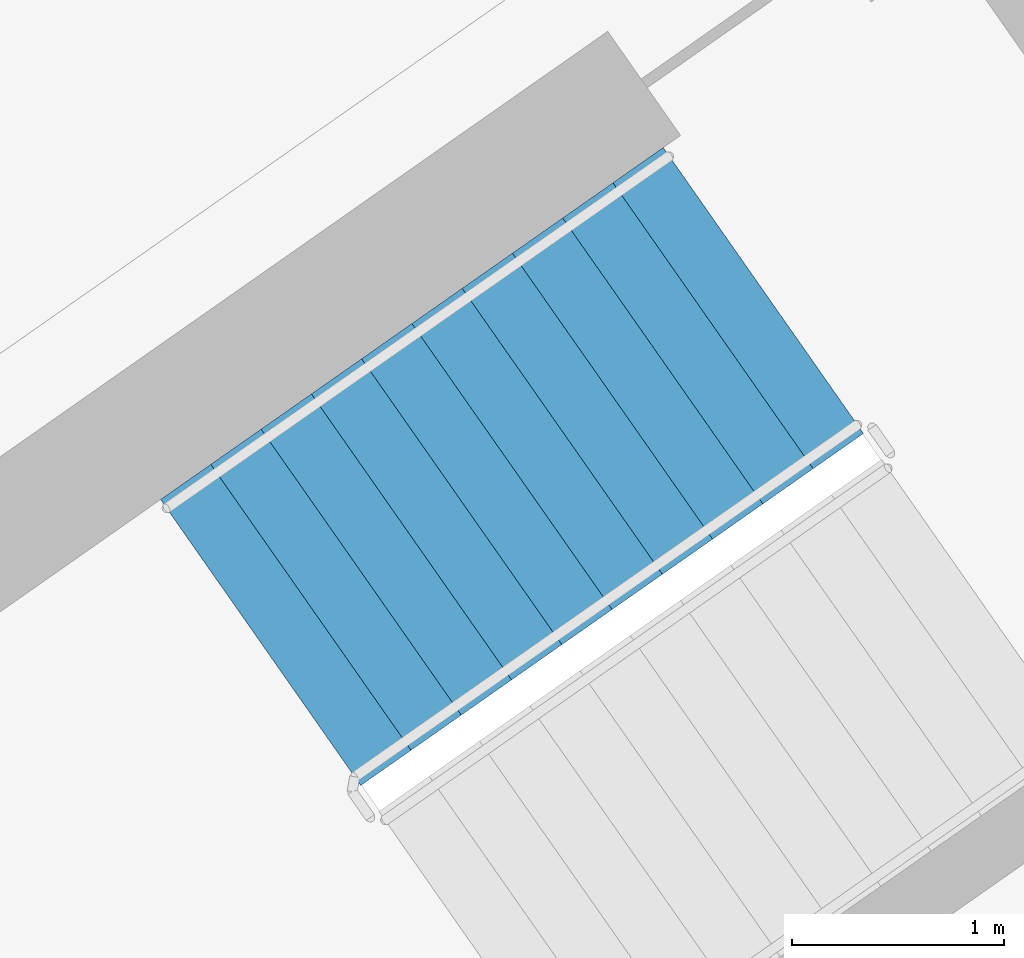
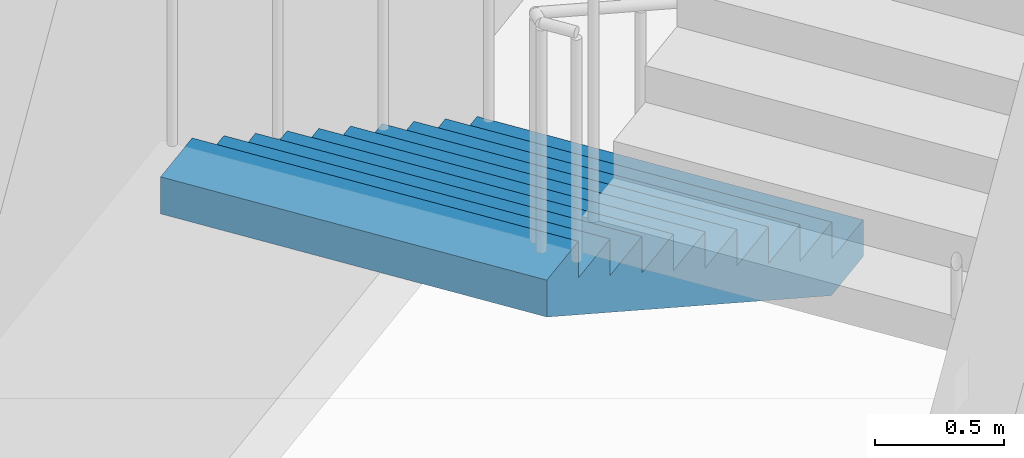
# One storey, part 17 of 28: 1 stair flight, 1 element without a shape of its own.
"""IFC4 building model written with IfcOpenShell, lengths in metres."""

import ifcopenshell
import ifcopenshell.guid

model = None  # the IFC model being written
_history = None  # IfcOwnerHistory: only IFC2X3 demands one
_inside = {}  # id of a spatial element -> (the spatial element, [elements in it])
_under = {}  # id of a project, library or spatial element -> (it, [spatial elements below it])
_declared = {}  # id of a project -> (the project, [libraries it declares])
_typed = {}  # id of a type object -> (the type object, [elements of that type])
_made_of = {}  # id of a material, layer set ... -> (it, [elements and type objects made of it])


def new_model(schema):
    """Start an empty IFC model of exactly this schema.

    Asked for "IFC4X3", IfcOpenShell would pick the latest addendum, in which some entities
    have other attributes; the version numbers below select the first issue.
    IFC2X3 requires an IfcOwnerHistory on every rooted entity: one is made here for all.
    """
    global model, _history
    if schema == "IFC4X3":
        model = ifcopenshell.file(schema_version=(4, 3, 0, 0))
    else:
        model = ifcopenshell.file(schema=schema)
    _inside.clear()
    _under.clear()
    _declared.clear()
    _typed.clear()
    _made_of.clear()
    _history = None
    if model.schema == "IFC2X3":
        org = make("IfcOrganization", Name="unknown")
        user = make(
            "IfcPersonAndOrganization",
            ThePerson=make("IfcPerson", FamilyName="unknown"),
            TheOrganization=org,
        )
        app = make(
            "IfcApplication",
            ApplicationDeveloper=org,
            Version="unknown",
            ApplicationFullName="unknown",
            ApplicationIdentifier="unknown",
        )
        _history = make(
            "IfcOwnerHistory",
            OwningUser=user,
            OwningApplication=app,
            ChangeAction="ADDED",
            CreationDate=0,
        )
    return model


def make(cls, **values):
    """One entity of the class cls with the attributes given. An attribute that is None is left unset."""
    return model.create_entity(
        cls, **{name: value for name, value in values.items() if value is not None}
    )


def rooted(cls, **values):
    """An entity with a GlobalId (a new one), such as an element, a storey or a relation."""
    return make(cls, GlobalId=ifcopenshell.guid.new(), OwnerHistory=_history, **values)


def si_unit(unit_type, name, prefix=None):
    """IfcSIUnit, for example si_unit("LENGTHUNIT", "METRE", prefix="MILLI")."""
    return make("IfcSIUnit", UnitType=unit_type, Prefix=prefix, Name=name)


def assignment(units):
    """IfcUnitAssignment: the units of a project."""
    return None if units is None else make("IfcUnitAssignment", Units=units)


def point(xyz):
    """IfcCartesianPoint."""
    return None if xyz is None else make("IfcCartesianPoint", Coordinates=xyz)


def direction(xyz):
    """IfcDirection."""
    return None if xyz is None else make("IfcDirection", DirectionRatios=xyz)


def frame(location, z_axis=None, x_axis=None):
    """IfcAxis2Placement3D, a coordinate frame: its origin and axes. An axis left out is left unset."""
    return make(
        "IfcAxis2Placement3D",
        Location=point(location),
        Axis=direction(z_axis),
        RefDirection=direction(x_axis),
    )


def origin():
    """The frame at (0, 0, 0) with its axes left unset."""
    return frame((0.0, 0.0, 0.0))


def place(relative_to, where):
    """IfcLocalPlacement: puts the frame where relative to a parent placement (None: the world)."""
    return make(
        "IfcLocalPlacement", PlacementRelTo=relative_to, RelativePlacement=where
    )


def context(
    kind, dimensions, precision=None, world=None, true_north=None, identifier=None
):
    """IfcGeometricRepresentationContext, for example the 3D "Model" context."""
    return make(
        "IfcGeometricRepresentationContext",
        ContextIdentifier=identifier,
        ContextType=kind,
        CoordinateSpaceDimension=dimensions,
        Precision=precision,
        WorldCoordinateSystem=world,
        TrueNorth=true_north,
    )


def subcontext(parent, identifier, kind, view, scale=None):
    """IfcGeometricRepresentationSubContext, for example "Body" below "Model"."""
    return make(
        "IfcGeometricRepresentationSubContext",
        ContextIdentifier=identifier,
        ContextType=kind,
        ParentContext=parent,
        TargetScale=scale,
        TargetView=view,
    )


def project(units=None, contexts=None):
    """IfcProject with its units and contexts."""
    return rooted(
        "IfcProject",
        Name="project",
        RepresentationContexts=contexts,
        UnitsInContext=assignment(units),
    )


def spatial(cls, under=None, at=None, **own):
    """A site, building, storey or space (cls), placed at a placement, below another one or the project."""
    s = rooted(cls, ObjectPlacement=at, **own)
    if under is not None:
        _under.setdefault(under.id(), (under, []))[1].append(s)
    return s


def faces_of(points, faces, orient=None, outer=None):
    """IfcFace entities. A face is a list of loops; a loop is a list of indices into points, from 0.

    orient and outer hold one flag for each loop. By default every Orientation is true, the
    first loop of a face is its IfcFaceOuterBound and the others are IfcFaceBound.
    """
    made = []
    for i, loops in enumerate(faces):
        bounds = []
        for j, loop in enumerate(loops):
            is_outer = j == 0 if outer is None else outer[i][j]
            bounds.append(
                make(
                    "IfcFaceOuterBound" if is_outer else "IfcFaceBound",
                    Bound=make("IfcPolyLoop", Polygon=[points[k] for k in loop]),
                    Orientation=True if orient is None else orient[i][j],
                )
            )
        made.append(make("IfcFace", Bounds=bounds))
    return made


def faceted_brep(points, faces, orient=None, outer=None, voids=None):
    """IfcFacetedBrep: a solid bounded by flat faces; with voids (closed shells), ...WithVoids."""
    shared = [point(p) for p in points]
    hull = make("IfcClosedShell", CfsFaces=faces_of(shared, faces, orient, outer))
    if voids is None:
        return make("IfcFacetedBrep", Outer=hull)
    return make(
        "IfcFacetedBrepWithVoids",
        Outer=hull,
        Voids=[
            make(cls, CfsFaces=faces_of(shared, fs, o, b)) for cls, fs, o, b in voids
        ],
    )


def shape(context_of_items, identifier, shape_type, items):
    """IfcShapeRepresentation: the items that make up one representation, for example the "Body"."""
    return make(
        "IfcShapeRepresentation",
        ContextOfItems=context_of_items,
        RepresentationIdentifier=identifier,
        RepresentationType=shape_type,
        Items=items,
    )


def material(Name=None, Category=None):
    """IfcMaterial."""
    return make("IfcMaterial", Name=Name, Category=Category)


def made_of(thing, what):
    """Note that an element or type object is made of a material, layer set ...; save() writes the relation."""
    if what is not None:
        _made_of.setdefault(what.id(), (what, []))[1].append(thing)
    return thing


def type_object(cls, material=None, **own):
    """A type object (cls), such as IfcWallType, which elements share."""
    return made_of(rooted(cls, **own), material)


def element(
    cls,
    number,
    at=None,
    inside=None,
    cuts=None,
    type_object=None,
    material=None,
    context=None,
    identifier="Body",
    shape_type=None,
    held_by="IfcProductDefinitionShape",
    body=None,
    shapes=None,
    **own,
):
    """One element of the class cls, such as IfcWall. Its Tag is "e" and its number.

    at: its placement. inside: the storey or other place that contains it. cuts: it is an
    opening in that element (IfcRelVoidsElement). A single representation is given by context,
    identifier, shape_type and body (its items); several are given by shapes. held_by: the class
    of the entity that holds the representations. save() writes the other relations.
    """
    e = rooted(cls, Tag="e%d" % number, ObjectPlacement=at, **own)
    if body is not None:
        shapes = [shape(context, identifier, shape_type, body)]
    if shapes is not None:
        e.Representation = make(held_by, Representations=shapes)
    if inside is not None:
        _inside.setdefault(inside.id(), (inside, []))[1].append(e)
    if cuts is not None:
        rooted(
            "IfcRelVoidsElement", RelatingBuildingElement=cuts, RelatedOpeningElement=e
        )
    if type_object is not None:
        _typed.setdefault(type_object.id(), (type_object, []))[1].append(e)
    return made_of(e, material)


def aggregate(whole, parts):
    """IfcRelAggregates: a whole, such as a stair, and the parts it consists of."""
    return rooted("IfcRelAggregates", RelatingObject=whole, RelatedObjects=parts)


def save(model, path):
    """Write the relations noted so far, then the file.

    IfcRelAggregates (storeys below a building ...), IfcRelContainedInSpatialStructure (elements
    in a storey), IfcRelDefinesByType, IfcRelAssociatesMaterial and IfcRelDeclares: one each for
    every whole, place, type object, material and project.
    """
    for whole, parts in _under.values():
        aggregate(whole, parts)
    for where, things in _inside.values():
        rooted(
            "IfcRelContainedInSpatialStructure",
            RelatedElements=things,
            RelatingStructure=where,
        )
    for kind, things in _typed.values():
        rooted("IfcRelDefinesByType", RelatedObjects=things, RelatingType=kind)
    for what, things in _made_of.values():
        rooted("IfcRelAssociatesMaterial", RelatedObjects=things, RelatingMaterial=what)
    for by, libraries in _declared.values():
        rooted("IfcRelDeclares", RelatingContext=by, RelatedDefinitions=libraries)
    model.write(path)


model = new_model("IFC4")

# Units and contexts
model_context = context("Model", 3, precision=1e-05, world=origin(), true_north=direction((0.0, 1.0)))
body_context = subcontext(model_context, "Body", "Model", "MODEL_VIEW")
ifc_project = project(units=[si_unit("LENGTHUNIT", "METRE"), si_unit("AREAUNIT", "SQUARE_METRE"), si_unit("VOLUMEUNIT", "CUBIC_METRE"), si_unit("PLANEANGLEUNIT", "RADIAN"), si_unit("MASSUNIT", "GRAM", prefix="KILO")], contexts=[model_context])

# Site, building, storey
site_placement = place(None, origin())
site = spatial("IfcSite", under=ifc_project, at=site_placement, CompositionType="ELEMENT")
building_placement = place(site_placement, origin())
building = spatial("IfcBuilding", under=site, at=building_placement, Name="Qamariyya Broadcast Tower", CompositionType="ELEMENT")
storey_placement = place(building_placement, frame((0.0, 0.0, 273.300048828125)))
storey = spatial("IfcBuildingStorey", under=building, at=storey_placement, Name="L66", CompositionType="ELEMENT", Elevation=273.300048828125)

# Stair, stair flight
ifc_material = material(Name="Concrete C50/60", Category="concrete")
stair_type = type_object("IfcStairType", Name="Exit stair 22 risers of 173 mm", PredefinedType="HALF_TURN_STAIR", material=ifc_material)
stair_placement = place(storey_placement, origin())
stair = element("IfcStair", 1, at=stair_placement, inside=storey, type_object=stair_type, Name="L66 Stair E2", PredefinedType="HALF_TURN_STAIR")
stair_flight_type = type_object("IfcStairFlightType", Name="Exit stair flight 11 risers of 173 mm", PredefinedType="STRAIGHT", material=ifc_material)
stair_flight_placement = place(storey_placement, frame((40.558837890625, -47.685302734375, 0.0), z_axis=(0.0, 0.0, 1.0), x_axis=(-0.819152044289, -0.573576436351, 0.0)))
stair_flight = element("IfcStairFlight", 2, at=stair_flight_placement, type_object=stair_flight_type, Name="ST-E2 flight 1", NumberOfRisers=11, NumberOfTreads=10, PredefinedType="STRAIGHT", RiserHeight=0.172727273, TreadLength=0.29, context=body_context, shape_type="Brep", body=[
    faceted_brep([(0.0, 0.824951171875, 0.0), (0.0, 0.824951171875, 0.172607421875), (0.2900390625, 0.824951171875, 0.172607421875), (0.2900390625, 0.824951171875, 0.345458984375), (0.580078125, 0.824951171875, 0.345458984375), (0.580078125, 0.824951171875, 0.51806640625), (0.8701171875, 0.824951171875, 0.51806640625), (0.8701171875, 0.824951171875, 0.69091796875), (1.159912109375, 0.824951171875, 0.69091796875), (1.159912109375, 0.824951171875, 0.863525390625), (1.449951171875, 0.824951171875, 0.863525390625), (1.449951171875, 0.824951171875, 1.036376953125), (1.739990234375, 0.824951171875, 1.036376953125), (1.739990234375, 0.824951171875, 1.208984375), (2.030029296875, 0.824951171875, 1.208984375), (2.030029296875, 0.824951171875, 1.3818359375), (2.320068359375, 0.824951171875, 1.3818359375), (2.320068359375, 0.824951171875, 1.554443359375), (2.610107421875, 0.824951171875, 1.554443359375), (2.610107421875, 0.824951171875, 1.727294921875), (2.89990234375, 0.824951171875, 1.727294921875), (2.89990234375, 0.824951171875, 1.552734375), (0.29296875, 0.824951171875, 0.0), (0.29296875, -0.824951171875, 0.0), (2.89990234375, -0.824951171875, 1.552734375), (2.89990234375, -0.824951171875, 1.727294921875), (2.610107421875, -0.824951171875, 1.727294921875), (2.610107421875, -0.824951171875, 1.554443359375), (2.320068359375, -0.824951171875, 1.554443359375), (2.320068359375, -0.824951171875, 1.3818359375), (2.030029296875, -0.824951171875, 1.3818359375), (2.030029296875, -0.824951171875, 1.208984375), (1.739990234375, -0.824951171875, 1.208984375), (1.739990234375, -0.824951171875, 1.036376953125), (1.449951171875, -0.824951171875, 1.036376953125), (1.449951171875, -0.824951171875, 0.863525390625), (1.159912109375, -0.824951171875, 0.863525390625), (1.159912109375, -0.824951171875, 0.69091796875), (0.8701171875, -0.824951171875, 0.69091796875), (0.8701171875, -0.824951171875, 0.51806640625), (0.580078125, -0.824951171875, 0.51806640625), (0.580078125, -0.824951171875, 0.345458984375), (0.2900390625, -0.824951171875, 0.345458984375), (0.2900390625, -0.824951171875, 0.172607421875), (0.0, -0.824951171875, 0.172607421875), (0.0, -0.824951171875, 0.0), (0.0, 0.10009765625, 0.0), (0.0, 0.086669921875, 0.0), (0.0, 0.0732421875, 0.0), (0.0, 0.06005859375, 0.0), (0.0, 0.046630859375, 0.0), (0.0, 0.033447265625, 0.0), (0.0, 0.02001953125, 0.0), (0.0, 0.006591796875, 0.0), (0.0, -0.006591796875, 0.0), (0.0, -0.02001953125, 0.0), (0.0, -0.033447265625, 0.0), (0.0, -0.046630859375, 0.0), (0.0, -0.06005859375, 0.0), (0.0, -0.0732421875, 0.0), (0.0, -0.086669921875, 0.0), (0.0, -0.10009765625, 0.0), (0.0, -0.10009765625, 0.172607421875), (0.0, -0.086669921875, 0.172607421875), (0.0, -0.0732421875, 0.172607421875), (0.0, -0.06005859375, 0.172607421875), (0.0, -0.046630859375, 0.172607421875), (0.0, -0.033447265625, 0.172607421875), (0.0, -0.02001953125, 0.172607421875), (0.0, -0.006591796875, 0.172607421875), (0.0, 0.006591796875, 0.172607421875), (0.0, 0.02001953125, 0.172607421875), (0.0, 0.033447265625, 0.172607421875), (0.0, 0.046630859375, 0.172607421875), (0.0, 0.06005859375, 0.172607421875), (0.0, 0.0732421875, 0.172607421875), (0.0, 0.086669921875, 0.172607421875), (0.0, 0.10009765625, 0.172607421875), (0.2900390625, -0.10009765625, 0.172607421875), (0.2900390625, -0.086669921875, 0.172607421875), (0.2900390625, -0.0732421875, 0.172607421875), (0.2900390625, -0.06005859375, 0.172607421875), (0.2900390625, -0.046630859375, 0.172607421875), (0.2900390625, -0.033447265625, 0.172607421875), (0.2900390625, -0.02001953125, 0.172607421875), (0.2900390625, -0.006591796875, 0.172607421875), (0.2900390625, 0.006591796875, 0.172607421875), (0.2900390625, 0.02001953125, 0.172607421875), (0.2900390625, 0.033447265625, 0.172607421875), (0.2900390625, 0.046630859375, 0.172607421875), (0.2900390625, 0.06005859375, 0.172607421875), (0.2900390625, 0.0732421875, 0.172607421875), (0.2900390625, 0.086669921875, 0.172607421875), (0.2900390625, 0.10009765625, 0.172607421875), (0.2900390625, -0.10009765625, 0.345458984375), (0.2900390625, -0.086669921875, 0.345458984375), (0.2900390625, -0.0732421875, 0.345458984375), (0.2900390625, -0.06005859375, 0.345458984375), (0.2900390625, -0.046630859375, 0.345458984375), (0.2900390625, -0.033447265625, 0.345458984375), (0.2900390625, -0.02001953125, 0.345458984375), (0.2900390625, -0.006591796875, 0.345458984375), (0.2900390625, 0.006591796875, 0.345458984375), (0.2900390625, 0.02001953125, 0.345458984375), (0.2900390625, 0.033447265625, 0.345458984375), (0.2900390625, 0.046630859375, 0.345458984375), (0.2900390625, 0.06005859375, 0.345458984375), (0.2900390625, 0.0732421875, 0.345458984375), (0.2900390625, 0.086669921875, 0.345458984375), (0.2900390625, 0.10009765625, 0.345458984375), (0.580078125, -0.10009765625, 0.345458984375), (0.580078125, -0.086669921875, 0.345458984375), (0.580078125, -0.0732421875, 0.345458984375), (0.580078125, -0.06005859375, 0.345458984375), (0.580078125, -0.046630859375, 0.345458984375), (0.580078125, -0.033447265625, 0.345458984375), (0.580078125, -0.02001953125, 0.345458984375), (0.580078125, -0.006591796875, 0.345458984375), (0.580078125, 0.006591796875, 0.345458984375), (0.580078125, 0.02001953125, 0.345458984375), (0.580078125, 0.033447265625, 0.345458984375), (0.580078125, 0.046630859375, 0.345458984375), (0.580078125, 0.06005859375, 0.345458984375), (0.580078125, 0.0732421875, 0.345458984375), (0.580078125, 0.086669921875, 0.345458984375), (0.580078125, 0.10009765625, 0.345458984375), (0.580078125, -0.10009765625, 0.51806640625), (0.580078125, -0.086669921875, 0.51806640625), (0.580078125, -0.0732421875, 0.51806640625), (0.580078125, -0.06005859375, 0.51806640625), (0.580078125, -0.046630859375, 0.51806640625), (0.580078125, -0.033447265625, 0.51806640625), (0.580078125, -0.02001953125, 0.51806640625), (0.580078125, -0.006591796875, 0.51806640625), (0.580078125, 0.006591796875, 0.51806640625), (0.580078125, 0.02001953125, 0.51806640625), (0.580078125, 0.033447265625, 0.51806640625), (0.580078125, 0.046630859375, 0.51806640625), (0.580078125, 0.06005859375, 0.51806640625), (0.580078125, 0.0732421875, 0.51806640625), (0.580078125, 0.086669921875, 0.51806640625), (0.580078125, 0.10009765625, 0.51806640625), (0.8701171875, -0.10009765625, 0.51806640625), (0.8701171875, -0.086669921875, 0.51806640625), (0.8701171875, -0.0732421875, 0.51806640625), (0.8701171875, -0.06005859375, 0.51806640625), (0.8701171875, -0.046630859375, 0.51806640625), (0.8701171875, -0.033447265625, 0.51806640625), (0.8701171875, -0.02001953125, 0.51806640625), (0.8701171875, -0.006591796875, 0.51806640625), (0.8701171875, 0.006591796875, 0.51806640625), (0.8701171875, 0.02001953125, 0.51806640625), (0.8701171875, 0.033447265625, 0.51806640625), (0.8701171875, 0.046630859375, 0.51806640625), (0.8701171875, 0.06005859375, 0.51806640625), (0.8701171875, 0.0732421875, 0.51806640625), (0.8701171875, 0.086669921875, 0.51806640625), (0.8701171875, 0.10009765625, 0.51806640625), (0.8701171875, -0.10009765625, 0.69091796875), (0.8701171875, -0.086669921875, 0.69091796875), (0.8701171875, -0.0732421875, 0.69091796875), (0.8701171875, -0.06005859375, 0.69091796875), (0.8701171875, -0.046630859375, 0.69091796875), (0.8701171875, -0.033447265625, 0.69091796875), (0.8701171875, -0.02001953125, 0.69091796875), (0.8701171875, -0.006591796875, 0.69091796875), (0.8701171875, 0.006591796875, 0.69091796875), (0.8701171875, 0.02001953125, 0.69091796875), (0.8701171875, 0.033447265625, 0.69091796875), (0.8701171875, 0.046630859375, 0.69091796875), (0.8701171875, 0.06005859375, 0.69091796875), (0.8701171875, 0.0732421875, 0.69091796875), (0.8701171875, 0.086669921875, 0.69091796875), (0.8701171875, 0.10009765625, 0.69091796875), (1.159912109375, -0.10009765625, 0.69091796875), (1.159912109375, -0.086669921875, 0.69091796875), (1.159912109375, -0.0732421875, 0.69091796875), (1.159912109375, -0.06005859375, 0.69091796875), (1.159912109375, -0.046630859375, 0.69091796875), (1.159912109375, -0.033447265625, 0.69091796875), (1.159912109375, -0.02001953125, 0.69091796875), (1.159912109375, -0.006591796875, 0.69091796875), (1.159912109375, 0.006591796875, 0.69091796875), (1.159912109375, 0.02001953125, 0.69091796875), (1.159912109375, 0.033447265625, 0.69091796875), (1.159912109375, 0.046630859375, 0.69091796875), (1.159912109375, 0.06005859375, 0.69091796875), (1.159912109375, 0.0732421875, 0.69091796875), (1.159912109375, 0.086669921875, 0.69091796875), (1.159912109375, 0.10009765625, 0.69091796875), (1.159912109375, -0.10009765625, 0.863525390625), (1.159912109375, -0.086669921875, 0.863525390625), (1.159912109375, -0.0732421875, 0.863525390625), (1.159912109375, -0.06005859375, 0.863525390625), (1.159912109375, -0.046630859375, 0.863525390625), (1.159912109375, -0.033447265625, 0.863525390625), (1.159912109375, -0.02001953125, 0.863525390625), (1.159912109375, -0.006591796875, 0.863525390625), (1.159912109375, 0.006591796875, 0.863525390625), (1.159912109375, 0.02001953125, 0.863525390625), (1.159912109375, 0.033447265625, 0.863525390625), (1.159912109375, 0.046630859375, 0.863525390625), (1.159912109375, 0.06005859375, 0.863525390625), (1.159912109375, 0.0732421875, 0.863525390625), (1.159912109375, 0.086669921875, 0.863525390625), (1.159912109375, 0.10009765625, 0.863525390625), (1.449951171875, -0.10009765625, 0.863525390625), (1.449951171875, -0.086669921875, 0.863525390625), (1.449951171875, -0.0732421875, 0.863525390625), (1.449951171875, -0.06005859375, 0.863525390625), (1.449951171875, -0.046630859375, 0.863525390625), (1.449951171875, -0.033447265625, 0.863525390625), (1.449951171875, -0.02001953125, 0.863525390625), (1.449951171875, -0.006591796875, 0.863525390625), (1.449951171875, 0.006591796875, 0.863525390625), (1.449951171875, 0.02001953125, 0.863525390625), (1.449951171875, 0.033447265625, 0.863525390625), (1.449951171875, 0.046630859375, 0.863525390625), (1.449951171875, 0.06005859375, 0.863525390625), (1.449951171875, 0.0732421875, 0.863525390625), (1.449951171875, 0.086669921875, 0.863525390625), (1.449951171875, 0.10009765625, 0.863525390625), (1.449951171875, -0.10009765625, 1.036376953125), (1.449951171875, -0.086669921875, 1.036376953125), (1.449951171875, -0.0732421875, 1.036376953125), (1.449951171875, -0.06005859375, 1.036376953125), (1.449951171875, -0.046630859375, 1.036376953125), (1.449951171875, -0.033447265625, 1.036376953125), (1.449951171875, -0.02001953125, 1.036376953125), (1.449951171875, -0.006591796875, 1.036376953125), (1.449951171875, 0.006591796875, 1.036376953125), (1.449951171875, 0.02001953125, 1.036376953125), (1.449951171875, 0.033447265625, 1.036376953125), (1.449951171875, 0.046630859375, 1.036376953125), (1.449951171875, 0.06005859375, 1.036376953125), (1.449951171875, 0.0732421875, 1.036376953125), (1.449951171875, 0.086669921875, 1.036376953125), (1.449951171875, 0.10009765625, 1.036376953125), (1.739990234375, -0.10009765625, 1.036376953125), (1.739990234375, -0.086669921875, 1.036376953125), (1.739990234375, -0.0732421875, 1.036376953125), (1.739990234375, -0.06005859375, 1.036376953125), (1.739990234375, -0.046630859375, 1.036376953125), (1.739990234375, -0.033447265625, 1.036376953125), (1.739990234375, -0.02001953125, 1.036376953125), (1.739990234375, -0.006591796875, 1.036376953125), (1.739990234375, 0.006591796875, 1.036376953125), (1.739990234375, 0.02001953125, 1.036376953125), (1.739990234375, 0.033447265625, 1.036376953125), (1.739990234375, 0.046630859375, 1.036376953125), (1.739990234375, 0.06005859375, 1.036376953125), (1.739990234375, 0.0732421875, 1.036376953125), (1.739990234375, 0.086669921875, 1.036376953125), (1.739990234375, 0.10009765625, 1.036376953125), (1.739990234375, -0.10009765625, 1.208984375), (1.739990234375, -0.086669921875, 1.208984375), (1.739990234375, -0.0732421875, 1.208984375), (1.739990234375, -0.06005859375, 1.208984375), (1.739990234375, -0.046630859375, 1.208984375), (1.739990234375, -0.033447265625, 1.208984375), (1.739990234375, -0.02001953125, 1.208984375), (1.739990234375, -0.006591796875, 1.208984375), (1.739990234375, 0.006591796875, 1.208984375), (1.739990234375, 0.02001953125, 1.208984375), (1.739990234375, 0.033447265625, 1.208984375), (1.739990234375, 0.046630859375, 1.208984375), (1.739990234375, 0.06005859375, 1.208984375), (1.739990234375, 0.0732421875, 1.208984375), (1.739990234375, 0.086669921875, 1.208984375), (1.739990234375, 0.10009765625, 1.208984375), (2.030029296875, -0.10009765625, 1.208984375), (2.030029296875, -0.086669921875, 1.208984375), (2.030029296875, -0.0732421875, 1.208984375), (2.030029296875, -0.06005859375, 1.208984375), (2.030029296875, -0.046630859375, 1.208984375), (2.030029296875, -0.033447265625, 1.208984375), (2.030029296875, -0.02001953125, 1.208984375), (2.030029296875, -0.006591796875, 1.208984375), (2.030029296875, 0.006591796875, 1.208984375), (2.030029296875, 0.02001953125, 1.208984375), (2.030029296875, 0.033447265625, 1.208984375), (2.030029296875, 0.046630859375, 1.208984375), (2.030029296875, 0.06005859375, 1.208984375), (2.030029296875, 0.0732421875, 1.208984375), (2.030029296875, 0.086669921875, 1.208984375), (2.030029296875, 0.10009765625, 1.208984375), (2.030029296875, -0.10009765625, 1.3818359375), (2.030029296875, -0.086669921875, 1.3818359375), (2.030029296875, -0.0732421875, 1.3818359375), (2.030029296875, -0.06005859375, 1.3818359375), (2.030029296875, -0.046630859375, 1.3818359375), (2.030029296875, -0.033447265625, 1.3818359375), (2.030029296875, -0.02001953125, 1.3818359375), (2.030029296875, -0.006591796875, 1.3818359375), (2.030029296875, 0.006591796875, 1.3818359375), (2.030029296875, 0.02001953125, 1.3818359375), (2.030029296875, 0.033447265625, 1.3818359375), (2.030029296875, 0.046630859375, 1.3818359375), (2.030029296875, 0.06005859375, 1.3818359375), (2.030029296875, 0.0732421875, 1.3818359375), (2.030029296875, 0.086669921875, 1.3818359375), (2.030029296875, 0.10009765625, 1.3818359375), (2.320068359375, -0.10009765625, 1.3818359375), (2.320068359375, -0.086669921875, 1.3818359375), (2.320068359375, -0.0732421875, 1.3818359375), (2.320068359375, -0.06005859375, 1.3818359375), (2.320068359375, -0.046630859375, 1.3818359375), (2.320068359375, -0.033447265625, 1.3818359375), (2.320068359375, -0.02001953125, 1.3818359375), (2.320068359375, -0.006591796875, 1.3818359375), (2.320068359375, 0.006591796875, 1.3818359375), (2.320068359375, 0.02001953125, 1.3818359375), (2.320068359375, 0.033447265625, 1.3818359375), (2.320068359375, 0.046630859375, 1.3818359375), (2.320068359375, 0.06005859375, 1.3818359375), (2.320068359375, 0.0732421875, 1.3818359375), (2.320068359375, 0.086669921875, 1.3818359375), (2.320068359375, 0.10009765625, 1.3818359375), (2.320068359375, -0.10009765625, 1.554443359375), (2.320068359375, -0.086669921875, 1.554443359375), (2.320068359375, -0.0732421875, 1.554443359375), (2.320068359375, -0.06005859375, 1.554443359375), (2.320068359375, -0.046630859375, 1.554443359375), (2.320068359375, -0.033447265625, 1.554443359375), (2.320068359375, -0.02001953125, 1.554443359375), (2.320068359375, -0.006591796875, 1.554443359375), (2.320068359375, 0.006591796875, 1.554443359375), (2.320068359375, 0.02001953125, 1.554443359375), (2.320068359375, 0.033447265625, 1.554443359375), (2.320068359375, 0.046630859375, 1.554443359375), (2.320068359375, 0.06005859375, 1.554443359375), (2.320068359375, 0.0732421875, 1.554443359375), (2.320068359375, 0.086669921875, 1.554443359375), (2.320068359375, 0.10009765625, 1.554443359375), (2.610107421875, -0.10009765625, 1.554443359375), (2.610107421875, -0.086669921875, 1.554443359375), (2.610107421875, -0.0732421875, 1.554443359375), (2.610107421875, -0.06005859375, 1.554443359375), (2.610107421875, -0.046630859375, 1.554443359375), (2.610107421875, -0.033447265625, 1.554443359375), (2.610107421875, -0.02001953125, 1.554443359375), (2.610107421875, -0.006591796875, 1.554443359375), (2.610107421875, 0.006591796875, 1.554443359375), (2.610107421875, 0.02001953125, 1.554443359375), (2.610107421875, 0.033447265625, 1.554443359375), (2.610107421875, 0.046630859375, 1.554443359375), (2.610107421875, 0.06005859375, 1.554443359375), (2.610107421875, 0.0732421875, 1.554443359375), (2.610107421875, 0.086669921875, 1.554443359375), (2.610107421875, 0.10009765625, 1.554443359375), (2.610107421875, -0.10009765625, 1.727294921875), (2.610107421875, -0.086669921875, 1.727294921875), (2.610107421875, -0.0732421875, 1.727294921875), (2.610107421875, -0.06005859375, 1.727294921875), (2.610107421875, -0.046630859375, 1.727294921875), (2.610107421875, -0.033447265625, 1.727294921875), (2.610107421875, -0.02001953125, 1.727294921875), (2.610107421875, -0.006591796875, 1.727294921875), (2.610107421875, 0.006591796875, 1.727294921875), (2.610107421875, 0.02001953125, 1.727294921875), (2.610107421875, 0.033447265625, 1.727294921875), (2.610107421875, 0.046630859375, 1.727294921875), (2.610107421875, 0.06005859375, 1.727294921875), (2.610107421875, 0.0732421875, 1.727294921875), (2.610107421875, 0.086669921875, 1.727294921875), (2.610107421875, 0.10009765625, 1.727294921875), (2.89990234375, -0.10009765625, 1.727294921875), (2.89990234375, -0.086669921875, 1.727294921875), (2.89990234375, -0.0732421875, 1.727294921875), (2.89990234375, -0.06005859375, 1.727294921875), (2.89990234375, -0.046630859375, 1.727294921875), (2.89990234375, -0.033447265625, 1.727294921875), (2.89990234375, -0.02001953125, 1.727294921875), (2.89990234375, -0.006591796875, 1.727294921875), (2.89990234375, 0.006591796875, 1.727294921875), (2.89990234375, 0.02001953125, 1.727294921875), (2.89990234375, 0.033447265625, 1.727294921875), (2.89990234375, 0.046630859375, 1.727294921875), (2.89990234375, 0.06005859375, 1.727294921875), (2.89990234375, 0.0732421875, 1.727294921875), (2.89990234375, 0.086669921875, 1.727294921875), (2.89990234375, 0.10009765625, 1.727294921875), (2.89990234375, -0.10009765625, 1.552734375), (2.89990234375, -0.086669921875, 1.552734375), (2.89990234375, -0.0732421875, 1.552734375), (2.89990234375, -0.06005859375, 1.552734375), (2.89990234375, -0.046630859375, 1.552734375), (2.89990234375, -0.033447265625, 1.552734375), (2.89990234375, -0.02001953125, 1.552734375), (2.89990234375, -0.006591796875, 1.552734375), (2.89990234375, 0.006591796875, 1.552734375), (2.89990234375, 0.02001953125, 1.552734375), (2.89990234375, 0.033447265625, 1.552734375), (2.89990234375, 0.046630859375, 1.552734375), (2.89990234375, 0.06005859375, 1.552734375), (2.89990234375, 0.0732421875, 1.552734375), (2.89990234375, 0.086669921875, 1.552734375), (2.89990234375, 0.10009765625, 1.552734375), (0.29296875, -0.10009765625, 0.0), (0.29296875, -0.086669921875, 0.0), (0.29296875, -0.0732421875, 0.0), (0.29296875, -0.06005859375, 0.0), (0.29296875, -0.046630859375, 0.0), (0.29296875, -0.033447265625, 0.0), (0.29296875, -0.02001953125, 0.0), (0.29296875, -0.006591796875, 0.0), (0.29296875, 0.006591796875, 0.0), (0.29296875, 0.02001953125, 0.0), (0.29296875, 0.033447265625, 0.0), (0.29296875, 0.046630859375, 0.0), (0.29296875, 0.06005859375, 0.0), (0.29296875, 0.0732421875, 0.0), (0.29296875, 0.086669921875, 0.0), (0.29296875, 0.10009765625, 0.0)], [[[0, 1, 2, 3, 4, 5, 6, 7, 8, 9, 10, 11, 12, 13, 14, 15, 16, 17, 18, 19, 20, 21, 22]], [[23, 24, 25, 26, 27, 28, 29, 30, 31, 32, 33, 34, 35, 36, 37, 38, 39, 40, 41, 42, 43, 44, 45]], [[0, 46, 47, 48, 49, 50, 51, 52, 53, 54, 55, 56, 57, 58, 59, 60, 61, 45, 44, 62, 63, 64, 65, 66, 67, 68, 69, 70, 71, 72, 73, 74, 75, 76, 77, 1]], [[1, 77, 76, 75, 74, 73, 72, 71, 70, 69, 68, 67, 66, 65, 64, 63, 62, 44, 43, 78, 79, 80, 81, 82, 83, 84, 85, 86, 87, 88, 89, 90, 91, 92, 93, 2]], [[2, 93, 92, 91, 90, 89, 88, 87, 86, 85, 84, 83, 82, 81, 80, 79, 78, 43, 42, 94, 95, 96, 97, 98, 99, 100, 101, 102, 103, 104, 105, 106, 107, 108, 109, 3]], [[3, 109, 108, 107, 106, 105, 104, 103, 102, 101, 100, 99, 98, 97, 96, 95, 94, 42, 41, 110, 111, 112, 113, 114, 115, 116, 117, 118, 119, 120, 121, 122, 123, 124, 125, 4]], [[4, 125, 124, 123, 122, 121, 120, 119, 118, 117, 116, 115, 114, 113, 112, 111, 110, 41, 40, 126, 127, 128, 129, 130, 131, 132, 133, 134, 135, 136, 137, 138, 139, 140, 141, 5]], [[5, 141, 140, 139, 138, 137, 136, 135, 134, 133, 132, 131, 130, 129, 128, 127, 126, 40, 39, 142, 143, 144, 145, 146, 147, 148, 149, 150, 151, 152, 153, 154, 155, 156, 157, 6]], [[6, 157, 156, 155, 154, 153, 152, 151, 150, 149, 148, 147, 146, 145, 144, 143, 142, 39, 38, 158, 159, 160, 161, 162, 163, 164, 165, 166, 167, 168, 169, 170, 171, 172, 173, 7]], [[7, 173, 172, 171, 170, 169, 168, 167, 166, 165, 164, 163, 162, 161, 160, 159, 158, 38, 37, 174, 175, 176, 177, 178, 179, 180, 181, 182, 183, 184, 185, 186, 187, 188, 189, 8]], [[8, 189, 188, 187, 186, 185, 184, 183, 182, 181, 180, 179, 178, 177, 176, 175, 174, 37, 36, 190, 191, 192, 193, 194, 195, 196, 197, 198, 199, 200, 201, 202, 203, 204, 205, 9]], [[9, 205, 204, 203, 202, 201, 200, 199, 198, 197, 196, 195, 194, 193, 192, 191, 190, 36, 35, 206, 207, 208, 209, 210, 211, 212, 213, 214, 215, 216, 217, 218, 219, 220, 221, 10]], [[10, 221, 220, 219, 218, 217, 216, 215, 214, 213, 212, 211, 210, 209, 208, 207, 206, 35, 34, 222, 223, 224, 225, 226, 227, 228, 229, 230, 231, 232, 233, 234, 235, 236, 237, 11]], [[11, 237, 236, 235, 234, 233, 232, 231, 230, 229, 228, 227, 226, 225, 224, 223, 222, 34, 33, 238, 239, 240, 241, 242, 243, 244, 245, 246, 247, 248, 249, 250, 251, 252, 253, 12]], [[12, 253, 252, 251, 250, 249, 248, 247, 246, 245, 244, 243, 242, 241, 240, 239, 238, 33, 32, 254, 255, 256, 257, 258, 259, 260, 261, 262, 263, 264, 265, 266, 267, 268, 269, 13]], [[13, 269, 268, 267, 266, 265, 264, 263, 262, 261, 260, 259, 258, 257, 256, 255, 254, 32, 31, 270, 271, 272, 273, 274, 275, 276, 277, 278, 279, 280, 281, 282, 283, 284, 285, 14]], [[14, 285, 284, 283, 282, 281, 280, 279, 278, 277, 276, 275, 274, 273, 272, 271, 270, 31, 30, 286, 287, 288, 289, 290, 291, 292, 293, 294, 295, 296, 297, 298, 299, 300, 301, 15]], [[15, 301, 300, 299, 298, 297, 296, 295, 294, 293, 292, 291, 290, 289, 288, 287, 286, 30, 29, 302, 303, 304, 305, 306, 307, 308, 309, 310, 311, 312, 313, 314, 315, 316, 317, 16]], [[16, 317, 316, 315, 314, 313, 312, 311, 310, 309, 308, 307, 306, 305, 304, 303, 302, 29, 28, 318, 319, 320, 321, 322, 323, 324, 325, 326, 327, 328, 329, 330, 331, 332, 333, 17]], [[17, 333, 332, 331, 330, 329, 328, 327, 326, 325, 324, 323, 322, 321, 320, 319, 318, 28, 27, 334, 335, 336, 337, 338, 339, 340, 341, 342, 343, 344, 345, 346, 347, 348, 349, 18]], [[18, 349, 348, 347, 346, 345, 344, 343, 342, 341, 340, 339, 338, 337, 336, 335, 334, 27, 26, 350, 351, 352, 353, 354, 355, 356, 357, 358, 359, 360, 361, 362, 363, 364, 365, 19]], [[19, 365, 364, 363, 362, 361, 360, 359, 358, 357, 356, 355, 354, 353, 352, 351, 350, 26, 25, 366, 367, 368, 369, 370, 371, 372, 373, 374, 375, 376, 377, 378, 379, 380, 381, 20]], [[20, 381, 380, 379, 378, 377, 376, 375, 374, 373, 372, 371, 370, 369, 368, 367, 366, 25, 24, 382, 383, 384, 385, 386, 387, 388, 389, 390, 391, 392, 393, 394, 395, 396, 397, 21]], [[21, 397, 396, 395, 394, 393, 392, 391, 390, 389, 388, 387, 386, 385, 384, 383, 382, 24, 23, 398, 399, 400, 401, 402, 403, 404, 405, 406, 407, 408, 409, 410, 411, 412, 413, 22]], [[22, 413, 412, 411, 410, 409, 408, 407, 406, 405, 404, 403, 402, 401, 400, 399, 398, 23, 45, 61, 60, 59, 58, 57, 56, 55, 54, 53, 52, 51, 50, 49, 48, 47, 46, 0]]]),
])
aggregate(stair, [stair_flight])

save(model, "model.ifc")
